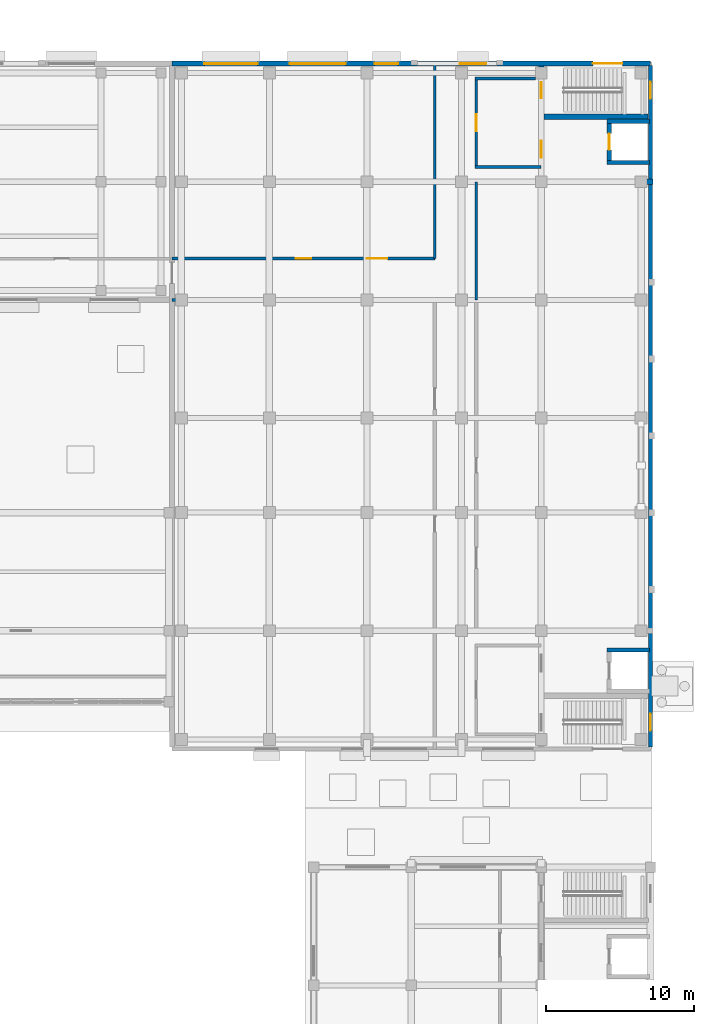
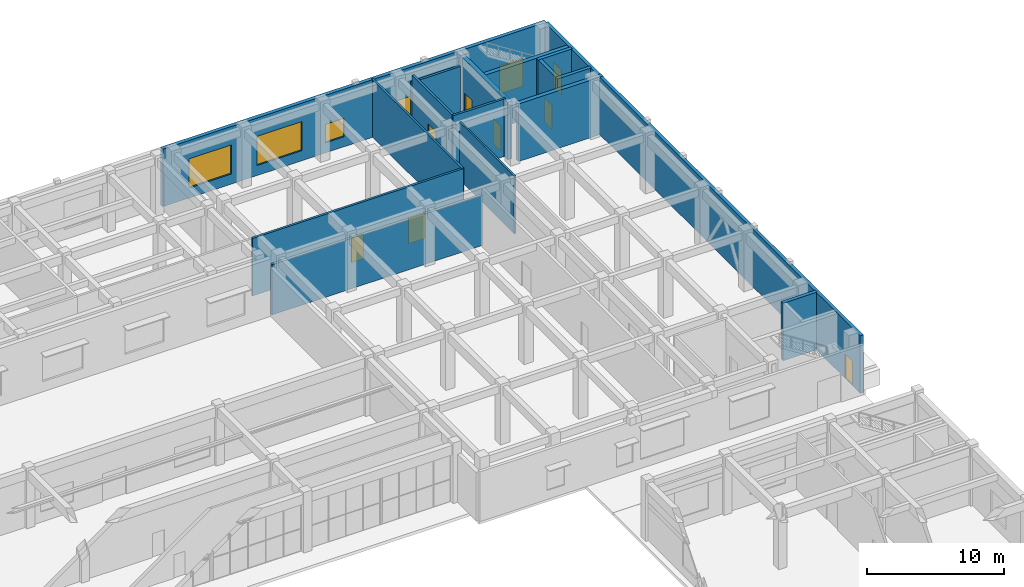
# One storey, part 36 of 46: 16 walls, 9 doors, 4 windows, 13 openings.
"""IFC4 building model written with IfcOpenShell, lengths in metres."""

from ifc_helpers import new_model, si_unit, direction, frame, frame_2d, origin, place, context, subcontext, project, spatial, rectangle, extrude, material, layer, layer_set, type_object, element, fill, save


model = new_model("IFC4")

# Units and contexts
model_context = context("Model", 3, precision=1e-05, world=origin(), true_north=direction((0.0, 1.0)))
body_context = subcontext(model_context, "Body", "Model", "MODEL_VIEW")
ifc_project = project(units=[si_unit("LENGTHUNIT", "METRE"), si_unit("AREAUNIT", "SQUARE_METRE"), si_unit("VOLUMEUNIT", "CUBIC_METRE"), si_unit("PLANEANGLEUNIT", "RADIAN"), si_unit("MASSUNIT", "GRAM", prefix="KILO")], contexts=[model_context])

# Site, building, storey
site_placement = place(None, origin())
site = spatial("IfcSite", under=ifc_project, at=site_placement, CompositionType="ELEMENT")
building_placement = place(site_placement, origin())
building = spatial("IfcBuilding", under=site, at=building_placement, Name="Cinchona Park Media Centre", CompositionType="ELEMENT")
storey_placement = place(building_placement, origin())
storey = spatial("IfcBuildingStorey", under=building, at=storey_placement, Name="L00", CompositionType="ELEMENT", Elevation=0.0)

# Walls
ifc_material_1 = material(Name="Acoustic Double-Stud Gypsum Partition", Category="gypsum")
ifc_layer_1 = layer(ifc_material_1, 0.2099609375)
ifc_layer_set_1 = layer_set([ifc_layer_1], Name="Acoustic Double-Stud Gypsum Partition")
wall_type_1 = type_object("IfcWallType", Name="WALL-W-AC210", PredefinedType="PARTITIONING", material=ifc_layer_set_1)
wall_1_placement = place(storey_placement, frame((157.39990234375, 102.0, 0.0), z_axis=(0.0, 0.0, 1.0), x_axis=(-1.0, 0.0, 0.0)))
element("IfcWall", 1, at=wall_1_placement, inside=storey, type_object=wall_type_1, Name="Interior Wall W-AC210 L00", PredefinedType="PARTITIONING", context=body_context, shape_type="SweptSolid", body=[
    extrude(rectangle(XDim=17.7998046875, YDim=0.2099609375, at=frame_2d((8.89990234375, 0.0))), origin(), (0.0, 0.0, 1.0), 4.489990234375),
])
ifc_material_2 = material(Name="Concrete C40/50", Category="concrete")
ifc_layer_2 = layer(ifc_material_2, 0.35009765625)
ifc_layer_set_2 = layer_set([ifc_layer_2], Name="Concrete C40/50")
wall_type_2 = type_object("IfcWallType", Name="WALL-W-CR350", PredefinedType="SHEAR", material=ifc_layer_set_2)
wall_2_placement = place(storey_placement, frame((165.001953125, 110.0, 0.0), z_axis=(0.0, 0.0, 1.0), x_axis=(1.0, 0.0, 0.0)))
element("IfcWall", 2, at=wall_2_placement, inside=storey, type_object=wall_type_2, Name="Core Shear Wall W-CR350 L00", PredefinedType="SHEAR", context=body_context, shape_type="SweptSolid", body=[
    extrude(rectangle(XDim=7.173095703125, YDim=0.35009765625, at=frame_2d((3.58642578125, 0.0))), origin(), (0.0, 0.0, 1.0), 5.139892578125),
])

# Wall, openings, doors
wall_3_placement = place(storey_placement, frame((164.60009765625, 110.402099609375, 0.0), z_axis=(0.0, 0.0, 1.0), x_axis=(0.0, 1.0, 0.0)))
wall_3 = element("IfcWall", 3, at=wall_3_placement, inside=storey, type_object=wall_type_2, Name="Core Shear Wall W-CR350 L00", PredefinedType="SHEAR", context=body_context, shape_type="SweptSolid", body=[
    extrude(rectangle(XDim=7.4228515625, YDim=0.35009765625, at=frame_2d((3.71142578125, 0.0))), origin(), (0.0, 0.0, 1.0), 5.139892578125),
])
opening_1_placement = place(wall_3_placement, frame((5.248046875, 0.0, 0.0)))
opening_1 = element("IfcOpeningElement", 4, at=opening_1_placement, cuts=wall_3, Name="Opening D045", PredefinedType="OPENING", context=body_context, shape_type="SweptSolid", body=[
    extrude(rectangle(XDim=1.10009765625, YDim=2.14990234375, at=frame_2d((0.550048828125, 1.074951171875))), frame((0.0, 0.18505859375, 0.0), z_axis=(0.0, -1.0, 0.0), x_axis=(1.0, 0.0, 0.0)), (0.0, 0.0, 1.0), 0.3701171875),
])
opening_2_placement = place(wall_3_placement, frame((1.222900390625, 0.0, 0.0)))
opening_2 = element("IfcOpeningElement", 5, at=opening_2_placement, cuts=wall_3, Name="Opening D046", PredefinedType="OPENING", context=body_context, shape_type="SweptSolid", body=[
    extrude(rectangle(XDim=1.14990234375, YDim=2.199951171875, at=frame_2d((0.574951171875, 1.10009765625))), frame((0.0, 0.18505859375, 0.0), z_axis=(0.0, -1.0, 0.0), x_axis=(1.0, 0.0, 0.0)), (0.0, 0.0, 1.0), 0.3701171875),
])
ifc_material_3 = material(Name="Insulated Fire-Rated Steel Door", Category="steel")
door_type_1 = type_object("IfcDoorType", Name="DOOR-DT-FF", OperationType="NOTDEFINED", PredefinedType="DOOR", material=ifc_material_3)
door_1_placement = place(opening_2_placement, origin())
door_1 = element("IfcDoor", 6, at=door_1_placement, inside=storey, type_object=door_type_1, Name="Interior Door D046", OperationType="SINGLE_SWING_RIGHT", OverallHeight=2.199951171875, OverallWidth=1.14990234375, PredefinedType="DOOR", context=body_context, shape_type="SweptSolid", body=[
    extrude(rectangle(XDim=1.14990234375, YDim=2.199951171875, at=frame_2d((0.574951171875, 1.10009765625))), frame((0.0, 0.02490234375, 0.0), z_axis=(0.0, -1.0, 0.0), x_axis=(1.0, 0.0, 0.0)), (0.0, 0.0, 1.0), 0.050048828125),
])
fill(opening_2, door_1)
ifc_material_4 = material(Name="Insulated Fire-Rated Steel Door", Category="steel")
door_type_2 = type_object("IfcDoorType", Name="DOOR-DT-ST", OperationType="NOTDEFINED", PredefinedType="DOOR", material=ifc_material_4)
door_2_placement = place(opening_1_placement, origin())
door_2 = element("IfcDoor", 7, at=door_2_placement, inside=storey, type_object=door_type_2, Name="Interior Door D045", OperationType="SINGLE_SWING_LEFT", OverallHeight=2.14990234375, OverallWidth=1.10009765625, PredefinedType="DOOR", context=body_context, shape_type="SweptSolid", body=[
    extrude(rectangle(XDim=1.10009765625, YDim=2.14990234375, at=frame_2d((0.550048828125, 1.074951171875))), frame((0.0, 0.02490234375, 0.0), z_axis=(0.0, -1.0, 0.0), x_axis=(1.0, 0.0, 0.0)), (0.0, 0.0, 1.0), 0.050048828125),
])
fill(opening_1, door_2)

# Wall
wall_4_placement = place(storey_placement, frame((164.77490234375, 114.39990234375, 0.0), z_axis=(0.0, 0.0, 1.0), x_axis=(1.0, 0.0, 0.0)))
element("IfcWall", 8, at=wall_4_placement, inside=storey, type_object=wall_type_2, Name="Core Shear Wall W-CR350 L00", PredefinedType="SHEAR", context=body_context, shape_type="SweptSolid", body=[
    extrude(rectangle(XDim=7.050048828125, YDim=0.35009765625, at=frame_2d((3.52490234375, 0.0))), origin(), (0.0, 0.0, 1.0), 5.139892578125),
])

# Wall, openings, door, windows
ifc_material_5 = material(Name="Precast concrete C40/50", Category="concrete")
ifc_layer_3 = layer(ifc_material_5, 0.320068359375)
ifc_layer_set_3 = layer_set([ifc_layer_3], Name="Precast concrete C40/50")
wall_type_3 = type_object("IfcWallType", Name="WALL-W-EX02", PredefinedType="SOLIDWALL", material=ifc_layer_set_3)
wall_5_placement = place(storey_placement, frame((139.60009765625, 118.0, 0.0), z_axis=(0.0, 0.0, 1.0), x_axis=(1.0, 0.0, 0.0)))
wall_5 = element("IfcWall", 9, at=wall_5_placement, inside=storey, type_object=wall_type_3, Name="Exterior Wall W-EX02 V7 L00", PredefinedType="SOLIDWALL", context=body_context, shape_type="SweptSolid", body=[
    extrude(rectangle(XDim=32.39990234375, YDim=0.320068359375, at=frame_2d((16.199951171875, 0.0))), origin(), (0.0, 0.0, 1.0), 5.139892578125),
])
opening_3_placement = place(wall_5_placement, frame((28.5, 0.0, 0.0)))
opening_3 = element("IfcOpeningElement", 10, at=opening_3_placement, cuts=wall_5, Name="Opening D019", PredefinedType="OPENING", context=body_context, shape_type="SweptSolid", body=[
    extrude(rectangle(XDim=2.0, YDim=2.5, at=frame_2d((1.0, 1.25))), frame((0.0, 0.169921875, 0.0), z_axis=(0.0, -1.0, 0.0), x_axis=(1.0, 0.0, 0.0)), (0.0, 0.0, 1.0), 0.340087890625),
])
opening_4_placement = place(wall_5_placement, frame((2.199951171875, 0.0, 0.89990234375)))
opening_4 = element("IfcOpeningElement", 11, at=opening_4_placement, cuts=wall_5, Name="Opening WN23", PredefinedType="OPENING", context=body_context, shape_type="SweptSolid", body=[
    extrude(rectangle(XDim=3.60009765625, YDim=2.60009765625, at=frame_2d((1.800048828125, 1.300048828125))), frame((0.0, 0.169921875, 0.0), z_axis=(0.0, -1.0, 0.0), x_axis=(1.0, 0.0, 0.0)), (0.0, 0.0, 1.0), 0.340087890625),
])
opening_5_placement = place(wall_5_placement, frame((7.9599609375, 0.0, 0.89990234375)))
opening_5 = element("IfcOpeningElement", 12, at=opening_5_placement, cuts=wall_5, Name="Opening WN24", PredefinedType="OPENING", context=body_context, shape_type="SweptSolid", body=[
    extrude(rectangle(XDim=3.800048828125, YDim=2.60009765625, at=frame_2d((1.89990234375, 1.300048828125))), frame((0.0, 0.169921875, 0.0), z_axis=(0.0, -1.0, 0.0), x_axis=(1.0, 0.0, 0.0)), (0.0, 0.0, 1.0), 0.340087890625),
])
opening_6_placement = place(wall_5_placement, frame((13.719970703125, 0.0, 0.89990234375)))
opening_6 = element("IfcOpeningElement", 13, at=opening_6_placement, cuts=wall_5, Name="Opening WN25", PredefinedType="OPENING", context=body_context, shape_type="SweptSolid", body=[
    extrude(rectangle(XDim=1.60009765625, YDim=1.64990234375, at=frame_2d((0.800048828125, 0.824951171875))), frame((0.0, 0.169921875, 0.0), z_axis=(0.0, -1.0, 0.0), x_axis=(1.0, 0.0, 0.0)), (0.0, 0.0, 1.0), 0.340087890625),
])
opening_7_placement = place(wall_5_placement, frame((19.47998046875, 0.0, 0.89990234375)))
opening_7 = element("IfcOpeningElement", 14, at=opening_7_placement, cuts=wall_5, Name="Opening WN26", PredefinedType="OPENING", context=body_context, shape_type="SweptSolid", body=[
    extrude(rectangle(XDim=1.800048828125, YDim=1.64990234375, at=frame_2d((0.89990234375, 0.824951171875))), frame((0.0, 0.169921875, 0.0), z_axis=(0.0, -1.0, 0.0), x_axis=(1.0, 0.0, 0.0)), (0.0, 0.0, 1.0), 0.340087890625),
])
ifc_material_6 = material(Name="Insulated Steel and Laminated Glass Door", Category="steel")
door_type_3 = type_object("IfcDoorType", Name="DOOR-DT-EX2", OperationType="NOTDEFINED", PredefinedType="DOOR", material=ifc_material_6)
door_3_placement = place(opening_3_placement, origin())
door_3 = element("IfcDoor", 15, at=door_3_placement, inside=storey, type_object=door_type_3, Name="Exterior Door D019", OperationType="DOUBLE_SWING_LEFT", OverallHeight=2.5, OverallWidth=2.0, PredefinedType="DOOR", context=body_context, shape_type="SweptSolid", body=[
    extrude(rectangle(XDim=2.0, YDim=2.5, at=frame_2d((1.0, 1.25))), frame((0.0, 0.02490234375, 0.0), z_axis=(0.0, -1.0, 0.0), x_axis=(1.0, 0.0, 0.0)), (0.0, 0.0, 1.0), 0.050048828125),
])
fill(opening_3, door_3)
ifc_material_7 = material(Name="Thermally Broken Aluminium Solar-Control Window", Category="aluminium")
window_type_1 = type_object("IfcWindowType", Name="WIN-WN23", PartitioningType="SINGLE_PANEL", PredefinedType="WINDOW", material=ifc_material_7)
window_1_placement = place(opening_4_placement, origin())
window_1 = element("IfcWindow", 16, at=window_1_placement, inside=storey, type_object=window_type_1, Name="Window WN23 L00", OverallHeight=2.60009765625, OverallWidth=3.60009765625, PartitioningType="SINGLE_PANEL", PredefinedType="WINDOW", context=body_context, shape_type="SweptSolid", body=[
    extrude(rectangle(XDim=3.60009765625, YDim=2.60009765625, at=frame_2d((1.800048828125, 1.300048828125))), frame((0.0, 0.030029296875, 0.0), z_axis=(0.0, -1.0, 0.0), x_axis=(1.0, 0.0, 0.0)), (0.0, 0.0, 1.0), 0.06005859375),
])
fill(opening_4, window_1)
ifc_material_8 = material(Name="Thermally Broken Aluminium Solar-Control Window", Category="aluminium")
window_type_2 = type_object("IfcWindowType", Name="WIN-WN24", PartitioningType="SINGLE_PANEL", PredefinedType="WINDOW", material=ifc_material_8)
window_2_placement = place(opening_5_placement, origin())
window_2 = element("IfcWindow", 17, at=window_2_placement, inside=storey, type_object=window_type_2, Name="Window WN24 L00", OverallHeight=2.60009765625, OverallWidth=3.800048828125, PartitioningType="SINGLE_PANEL", PredefinedType="WINDOW", context=body_context, shape_type="SweptSolid", body=[
    extrude(rectangle(XDim=3.800048828125, YDim=2.60009765625, at=frame_2d((1.89990234375, 1.300048828125))), frame((0.0, 0.030029296875, 0.0), z_axis=(0.0, -1.0, 0.0), x_axis=(1.0, 0.0, 0.0)), (0.0, 0.0, 1.0), 0.06005859375),
])
fill(opening_5, window_2)
ifc_material_9 = material(Name="Thermally Broken Aluminium Solar-Control Window", Category="aluminium")
window_type_3 = type_object("IfcWindowType", Name="WIN-WN25", PartitioningType="SINGLE_PANEL", PredefinedType="WINDOW", material=ifc_material_9)
window_3_placement = place(opening_6_placement, origin())
window_3 = element("IfcWindow", 18, at=window_3_placement, inside=storey, type_object=window_type_3, Name="Window WN25 L00", OverallHeight=1.64990234375, OverallWidth=1.60009765625, PartitioningType="SINGLE_PANEL", PredefinedType="WINDOW", context=body_context, shape_type="SweptSolid", body=[
    extrude(rectangle(XDim=1.60009765625, YDim=1.64990234375, at=frame_2d((0.800048828125, 0.824951171875))), frame((0.0, 0.030029296875, 0.0), z_axis=(0.0, -1.0, 0.0), x_axis=(1.0, 0.0, 0.0)), (0.0, 0.0, 1.0), 0.06005859375),
])
fill(opening_6, window_3)
ifc_material_10 = material(Name="Thermally Broken Aluminium Solar-Control Window", Category="aluminium")
window_type_4 = type_object("IfcWindowType", Name="WIN-WN26", PartitioningType="SINGLE_PANEL", PredefinedType="WINDOW", material=ifc_material_10)
window_4_placement = place(opening_7_placement, origin())
window_4 = element("IfcWindow", 19, at=window_4_placement, inside=storey, type_object=window_type_4, Name="Window WN26 L00", OverallHeight=1.64990234375, OverallWidth=1.800048828125, PartitioningType="SINGLE_PANEL", PredefinedType="WINDOW", context=body_context, shape_type="SweptSolid", body=[
    extrude(rectangle(XDim=1.800048828125, YDim=1.64990234375, at=frame_2d((0.89990234375, 0.824951171875))), frame((0.0, 0.030029296875, 0.0), z_axis=(0.0, -1.0, 0.0), x_axis=(1.0, 0.0, 0.0)), (0.0, 0.0, 1.0), 0.06005859375),
])
fill(opening_7, window_4)

# Wall, openings, doors
ifc_material_11 = material(Name="Precast concrete C40/50", Category="concrete")
ifc_layer_4 = layer(ifc_material_11, 0.27490234375)
ifc_layer_set_4 = layer_set([ifc_layer_4], Name="Precast concrete C40/50")
wall_type_4 = type_object("IfcWallType", Name="WALL-W-EX03", PredefinedType="SOLIDWALL", material=ifc_layer_set_4)
wall_6_placement = place(storey_placement, frame((172.0, 117.860107421875, 0.0), z_axis=(0.0, 0.0, 1.0), x_axis=(0.0, -1.0, 0.0)))
wall_6 = element("IfcWall", 20, at=wall_6_placement, inside=storey, type_object=wall_type_4, Name="Exterior Wall W-EX03 V7 L00", PredefinedType="SOLIDWALL", context=body_context, shape_type="SweptSolid", body=[
    extrude(rectangle(XDim=46.1201171875, YDim=0.27490234375, at=frame_2d((23.06005859375, 0.0))), origin(), (0.0, 0.0, 1.0), 5.139892578125),
])
opening_8_placement = place(wall_6_placement, frame((43.8701171875, 0.0, 0.0)))
opening_8 = element("IfcOpeningElement", 21, at=opening_8_placement, cuts=wall_6, Name="Opening D001", PredefinedType="OPENING", context=body_context, shape_type="SweptSolid", body=[
    extrude(rectangle(XDim=1.14990234375, YDim=2.199951171875, at=frame_2d((0.574951171875, 1.10009765625))), frame((0.0, 0.1474609375, 0.0), z_axis=(0.0, -1.0, 0.0), x_axis=(1.0, 0.0, 0.0)), (0.0, 0.0, 1.0), 0.294921875),
])
opening_9_placement = place(wall_6_placement, frame((1.10009765625, 0.0, 0.0)))
opening_9 = element("IfcOpeningElement", 22, at=opening_9_placement, cuts=wall_6, Name="Opening D002", PredefinedType="OPENING", context=body_context, shape_type="SweptSolid", body=[
    extrude(rectangle(XDim=1.14990234375, YDim=2.199951171875, at=frame_2d((0.574951171875, 1.10009765625))), frame((0.0, 0.1474609375, 0.0), z_axis=(0.0, -1.0, 0.0), x_axis=(1.0, 0.0, 0.0)), (0.0, 0.0, 1.0), 0.294921875),
])
ifc_material_12 = material(Name="Insulated Steel and Laminated Glass Door", Category="steel")
door_type_4 = type_object("IfcDoorType", Name="DOOR-DT-EX3", OperationType="NOTDEFINED", PredefinedType="DOOR", material=ifc_material_12)
door_4_placement = place(opening_8_placement, origin())
door_4 = element("IfcDoor", 23, at=door_4_placement, inside=storey, type_object=door_type_4, Name="Exterior Door D001", OperationType="SINGLE_SWING_LEFT", OverallHeight=2.199951171875, OverallWidth=1.14990234375, PredefinedType="DOOR", context=body_context, shape_type="SweptSolid", body=[
    extrude(rectangle(XDim=1.14990234375, YDim=2.199951171875, at=frame_2d((0.574951171875, 1.10009765625))), frame((0.0, 0.02490234375, 0.0), z_axis=(0.0, -1.0, 0.0), x_axis=(1.0, 0.0, 0.0)), (0.0, 0.0, 1.0), 0.050048828125),
])
fill(opening_8, door_4)
door_5_placement = place(opening_9_placement, origin())
door_5 = element("IfcDoor", 24, at=door_5_placement, inside=storey, type_object=door_type_4, Name="Exterior Door D002", OperationType="SINGLE_SWING_RIGHT", OverallHeight=2.199951171875, OverallWidth=1.14990234375, PredefinedType="DOOR", context=body_context, shape_type="SweptSolid", body=[
    extrude(rectangle(XDim=1.14990234375, YDim=2.199951171875, at=frame_2d((0.574951171875, 1.10009765625))), frame((0.0, 0.02490234375, 0.0), z_axis=(0.0, -1.0, 0.0), x_axis=(1.0, 0.0, 0.0)), (0.0, 0.0, 1.0), 0.050048828125),
])
fill(opening_9, door_5)

# Walls
ifc_material_13 = material(Name="Fire-Rated Gypsum Stud Partition", Category="gypsum")
ifc_layer_5 = layer(ifc_material_13, 0.14990234375)
ifc_layer_set_5 = layer_set([ifc_layer_5], Name="Fire-Rated Gypsum Stud Partition")
wall_type_5 = type_object("IfcWallType", Name="WALL-W-PT150", PredefinedType="PARTITIONING", material=ifc_layer_set_5)
wall_7_placement = place(storey_placement, frame((160.199951171875, 110.0, 0.0), z_axis=(0.0, 0.0, 1.0), x_axis=(0.0, -1.0, 0.0)))
element("IfcWall", 25, at=wall_7_placement, inside=storey, type_object=wall_type_5, Name="Interior Wall W-PT150 L00", PredefinedType="PARTITIONING", context=body_context, shape_type="SweptSolid", body=[
    extrude(rectangle(XDim=8.0, YDim=0.14990234375, at=frame_2d((4.0, 0.0))), origin(), (0.0, 0.0, 1.0), 5.139892578125),
])
ifc_material_14 = material(Name="Fire-Rated Gypsum Stud Partition", Category="gypsum")
ifc_layer_6 = layer(ifc_material_14, 0.1650390625)
ifc_layer_set_6 = layer_set([ifc_layer_6], Name="Fire-Rated Gypsum Stud Partition")
wall_type_6 = type_object("IfcWallType", Name="WALL-W-PT165", PredefinedType="PARTITIONING", material=ifc_layer_set_6)
wall_8_placement = place(storey_placement, frame((157.39990234375, 104.800048828125, 0.0), z_axis=(0.0, 0.0, 1.0), x_axis=(0.0, 1.0, 0.0)))
element("IfcWall", 26, at=wall_8_placement, inside=storey, type_object=wall_type_6, Name="Interior Wall W-PT165 L00", PredefinedType="PARTITIONING", context=body_context, shape_type="SweptSolid", body=[
    extrude(rectangle(XDim=13.199951171875, YDim=0.1650390625, at=frame_2d((6.60009765625, 0.0))), origin(), (0.0, 0.0, 1.0), 5.139892578125),
])
ifc_material_15 = material(Name="Fire-Rated Gypsum Stud Partition", Category="gypsum")
ifc_layer_7 = layer(ifc_material_15, 0.18994140625)
ifc_layer_set_7 = layer_set([ifc_layer_7], Name="Fire-Rated Gypsum Stud Partition")
wall_type_7 = type_object("IfcWallType", Name="WALL-W-PT190", PredefinedType="PARTITIONING", material=ifc_layer_set_7)
wall_9_placement = place(storey_placement, frame((160.10498046875, 111.0, 0.0), z_axis=(0.0, 0.0, 1.0), x_axis=(1.0, 0.0, 0.0)))
element("IfcWall", 27, at=wall_9_placement, inside=storey, type_object=wall_type_7, Name="Interior Wall W-PT190 L00", PredefinedType="PARTITIONING", context=body_context, shape_type="SweptSolid", body=[
    extrude(rectangle(XDim=4.4951171875, YDim=0.18994140625, at=frame_2d((2.24755859375, 0.0))), origin(), (0.0, 0.0, 1.0), 5.139892578125),
])
wall_10_placement = place(storey_placement, frame((160.10498046875, 117.0, 0.0), z_axis=(0.0, 0.0, 1.0), x_axis=(1.0, 0.0, 0.0)))
element("IfcWall", 28, at=wall_10_placement, inside=storey, type_object=wall_type_7, Name="Interior Wall W-PT190 L00", PredefinedType="PARTITIONING", context=body_context, shape_type="SweptSolid", body=[
    extrude(rectangle(XDim=4.093017578125, YDim=0.18994140625, at=frame_2d((2.04638671875, 0.0))), origin(), (0.0, 0.0, 1.0), 4.489990234375),
])

# Wall, opening, door
wall_11_placement = place(storey_placement, frame((160.199951171875, 111.094970703125, 0.0), z_axis=(0.0, 0.0, 1.0), x_axis=(0.0, 1.0, 0.0)))
wall_11 = element("IfcWall", 29, at=wall_11_placement, inside=storey, type_object=wall_type_7, Name="Interior Wall W-PT190 L00", PredefinedType="PARTITIONING", context=body_context, shape_type="SweptSolid", body=[
    extrude(rectangle(XDim=5.81005859375, YDim=0.18994140625, at=frame_2d((2.905029296875, 0.0))), origin(), (0.0, 0.0, 1.0), 5.139892578125),
])
opening_10_placement = place(wall_11_placement, frame((2.330078125, 0.0, 0.0)))
opening_10 = element("IfcOpeningElement", 30, at=opening_10_placement, cuts=wall_11, Name="Opening D047", PredefinedType="OPENING", context=body_context, shape_type="SweptSolid", body=[
    extrude(rectangle(XDim=1.14990234375, YDim=2.199951171875, at=frame_2d((0.574951171875, 1.10009765625))), frame((0.0, 0.10498046875, 0.0), z_axis=(0.0, -1.0, 0.0), x_axis=(1.0, 0.0, 0.0)), (0.0, 0.0, 1.0), 0.2099609375),
])
door_6_placement = place(opening_10_placement, origin())
door_6 = element("IfcDoor", 31, at=door_6_placement, inside=storey, type_object=door_type_1, Name="Interior Door D047", OperationType="SINGLE_SWING_LEFT", OverallHeight=2.199951171875, OverallWidth=1.14990234375, PredefinedType="DOOR", context=body_context, shape_type="SweptSolid", body=[
    extrude(rectangle(XDim=1.14990234375, YDim=2.199951171875, at=frame_2d((0.574951171875, 1.10009765625))), frame((0.0, 0.02490234375, 0.0), z_axis=(0.0, -1.0, 0.0), x_axis=(1.0, 0.0, 0.0)), (0.0, 0.0, 1.0), 0.050048828125),
])
fill(opening_10, door_6)

# Wall, openings, doors
wall_12_placement = place(storey_placement, frame((139.60009765625, 104.800048828125, 0.0), z_axis=(0.0, 0.0, 1.0), x_axis=(1.0, 0.0, 0.0)))
wall_12 = element("IfcWall", 32, at=wall_12_placement, inside=storey, type_object=wall_type_7, Name="Interior Wall W-PT190 L00", PredefinedType="PARTITIONING", context=body_context, shape_type="SweptSolid", body=[
    extrude(rectangle(XDim=17.7998046875, YDim=0.18994140625, at=frame_2d((8.89990234375, 0.0))), origin(), (0.0, 0.0, 1.0), 5.139892578125),
])
opening_11_placement = place(wall_12_placement, frame((8.3798828125, 0.0, 0.0)))
opening_11 = element("IfcOpeningElement", 33, at=opening_11_placement, cuts=wall_12, Name="Opening D220", PredefinedType="OPENING", context=body_context, shape_type="SweptSolid", body=[
    extrude(rectangle(XDim=1.0400390625, YDim=2.199951171875, at=frame_2d((0.52001953125, 1.10009765625))), frame((0.0, 0.10498046875, 0.0), z_axis=(0.0, -1.0, 0.0), x_axis=(1.0, 0.0, 0.0)), (0.0, 0.0, 1.0), 0.2099609375),
])
opening_12_placement = place(wall_12_placement, frame((13.18408203125, 0.0, 0.0)))
opening_12 = element("IfcOpeningElement", 34, at=opening_12_placement, cuts=wall_12, Name="Opening D221", PredefinedType="OPENING", context=body_context, shape_type="SweptSolid", body=[
    extrude(rectangle(XDim=1.39990234375, YDim=2.25, at=frame_2d((0.699951171875, 1.125))), frame((0.0, 0.10498046875, 0.0), z_axis=(0.0, -1.0, 0.0), x_axis=(1.0, 0.0, 0.0)), (0.0, 0.0, 1.0), 0.2099609375),
])
ifc_material_16 = material(Name="Acoustic Double-Seal Steel Door", Category="steel")
door_type_5 = type_object("IfcDoorType", Name="DOOR-DT-AC", OperationType="NOTDEFINED", PredefinedType="DOOR", material=ifc_material_16)
door_7_placement = place(opening_12_placement, origin())
door_7 = element("IfcDoor", 35, at=door_7_placement, inside=storey, type_object=door_type_5, Name="Interior Door D221", OperationType="SINGLE_SWING_LEFT", OverallHeight=2.25, OverallWidth=1.39990234375, PredefinedType="DOOR", context=body_context, shape_type="SweptSolid", body=[
    extrude(rectangle(XDim=1.39990234375, YDim=2.25, at=frame_2d((0.699951171875, 1.125))), frame((0.0, 0.02490234375, 0.0), z_axis=(0.0, -1.0, 0.0), x_axis=(1.0, 0.0, 0.0)), (0.0, 0.0, 1.0), 0.050048828125),
])
fill(opening_12, door_7)
ifc_material_17 = material(Name="Fire-Rated Acoustic Timber-Steel Door", Category="steel")
door_type_6 = type_object("IfcDoorType", Name="DOOR-DT25", OperationType="NOTDEFINED", PredefinedType="DOOR", material=ifc_material_17)
door_8_placement = place(opening_11_placement, origin())
door_8 = element("IfcDoor", 36, at=door_8_placement, inside=storey, type_object=door_type_6, Name="Interior Door D220", OperationType="SINGLE_SWING_RIGHT", OverallHeight=2.199951171875, OverallWidth=1.0400390625, PredefinedType="DOOR", context=body_context, shape_type="SweptSolid", body=[
    extrude(rectangle(XDim=1.0400390625, YDim=2.199951171875, at=frame_2d((0.52001953125, 1.10009765625))), frame((0.0, 0.02490234375, 0.0), z_axis=(0.0, -1.0, 0.0), x_axis=(1.0, 0.0, 0.0)), (0.0, 0.0, 1.0), 0.050048828125),
])
fill(opening_11, door_8)

# Walls
ifc_material_18 = material(Name="Concrete C40/50", Category="concrete")
ifc_layer_8 = layer(ifc_material_18, 0.2900390625)
ifc_layer_set_8 = layer_set([ifc_layer_8], Name="Concrete C40/50")
wall_type_8 = type_object("IfcWallType", Name="WALL-W-SH290", PredefinedType="SHEAR", material=ifc_layer_set_8)
for number, where, z_axis, x_axis, name in (
    (37, (169.054931640625, 78.300048828125, 0.0), (0.0, 0.0, 1.0), (1.0, 0.0, 0.0), "Core Shear Wall W-SH290 L00"),
    (38, (169.054931640625, 111.300048828125, 0.0), (0.0, 0.0, 1.0), (1.0, 0.0, 0.0), "Core Shear Wall W-SH290 L00"),
    (39, (169.054931640625, 114.10009765625, 0.0), (0.0, 0.0, 1.0), (1.0, 0.0, 0.0), "Core Shear Wall W-SH290 L00"),
):
    element("IfcWall", number, at=place(storey_placement, frame(where, z_axis=z_axis, x_axis=x_axis)), inside=storey, type_object=wall_type_8, Name=name, PredefinedType="SHEAR", context=body_context, shape_type="SweptSolid", body=[
        extrude(rectangle(XDim=2.89013671875, YDim=0.2900390625, at=frame_2d((1.445068359375, 0.0))), origin(), (0.0, 0.0, 1.0), 5.139892578125),
    ])

# Wall, opening, door
wall_13_placement = place(storey_placement, frame((169.199951171875, 111.445068359375, 0.0), z_axis=(0.0, 0.0, 1.0), x_axis=(0.0, 1.0, 0.0)))
wall_13 = element("IfcWall", 40, at=wall_13_placement, inside=storey, type_object=wall_type_8, Name="Core Shear Wall W-SH290 L00", PredefinedType="SHEAR", context=body_context, shape_type="SweptSolid", body=[
    extrude(rectangle(XDim=2.510009765625, YDim=0.2900390625, at=frame_2d((1.2548828125, 0.0))), origin(), (0.0, 0.0, 1.0), 5.139892578125),
])
opening_13_placement = place(wall_13_placement, frame((0.705078125, 0.0, 0.0)))
opening_13 = element("IfcOpeningElement", 41, at=opening_13_placement, cuts=wall_13, Name="Opening LD09", PredefinedType="OPENING", context=body_context, shape_type="SweptSolid", body=[
    extrude(rectangle(XDim=1.10009765625, YDim=2.14990234375, at=frame_2d((0.550048828125, 1.074951171875))), frame((0.0, 0.155029296875, 0.0), z_axis=(0.0, -1.0, 0.0), x_axis=(1.0, 0.0, 0.0)), (0.0, 0.0, 1.0), 0.31005859375),
])
ifc_material_19 = material(Name="Stainless Steel Sliding Lift Landing Door", Category="steel")
door_type_7 = type_object("IfcDoorType", Name="DOOR-DT-LD1", OperationType="NOTDEFINED", PredefinedType="DOOR", material=ifc_material_19)
door_9_placement = place(opening_13_placement, origin())
door_9 = element("IfcDoor", 42, at=door_9_placement, inside=storey, type_object=door_type_7, Name="Lift Landing Door LD09", OperationType="SLIDING_TO_LEFT", OverallHeight=2.14990234375, OverallWidth=1.10009765625, PredefinedType="DOOR", context=body_context, shape_type="SweptSolid", body=[
    extrude(rectangle(XDim=1.10009765625, YDim=2.14990234375, at=frame_2d((0.550048828125, 1.074951171875))), frame((0.0, 0.02490234375, 0.0), z_axis=(0.0, -1.0, 0.0), x_axis=(1.0, 0.0, 0.0)), (0.0, 0.0, 1.0), 0.050048828125),
])
fill(opening_13, door_9)

save(model, "model.ifc")
